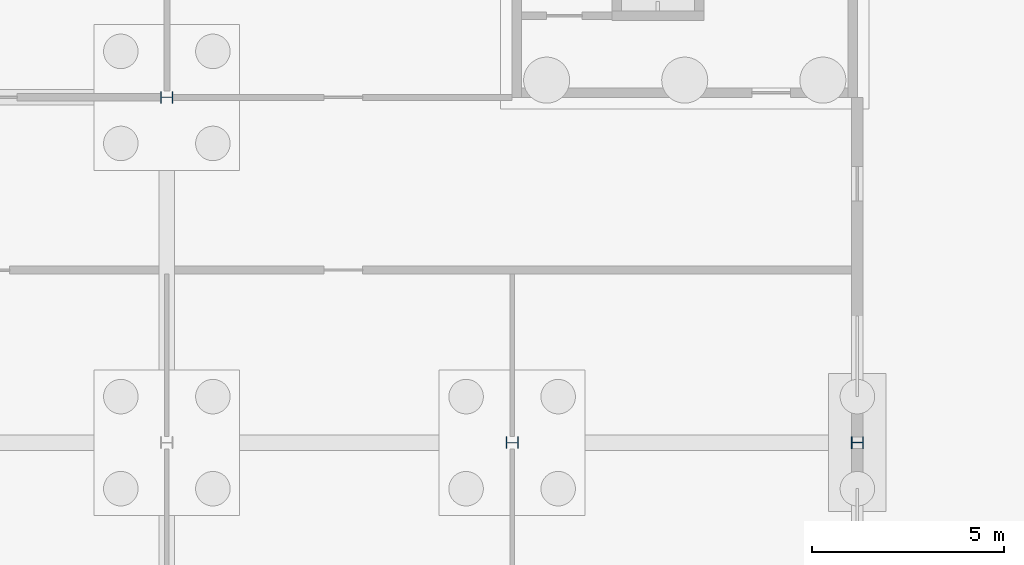
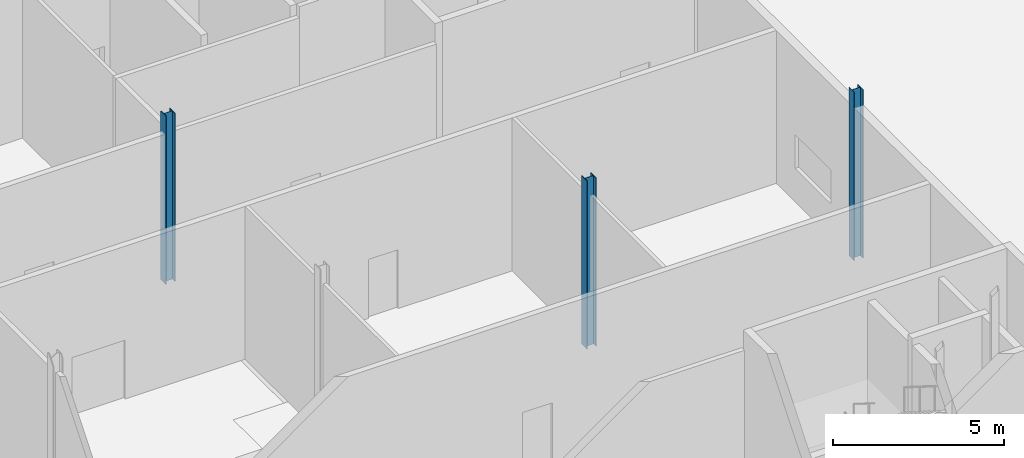
# One storey, part 29 of 97: 3 columns.
"""IFC4 building model written with IfcOpenShell, lengths in metres."""

from ifc_helpers import new_model, si_unit, direction, frame, origin, origin_2d, place, context, subcontext, project, spatial, i_section, extrude, material, material_profile, profile_set, type_object, element, save


model = new_model("IFC4")

# Units and contexts
model_context = context("Model", 3, precision=1e-05, world=origin(), true_north=direction((0.0, 1.0)))
body_context = subcontext(model_context, "Body", "Model", "MODEL_VIEW")
ifc_project = project(units=[si_unit("LENGTHUNIT", "METRE"), si_unit("AREAUNIT", "SQUARE_METRE"), si_unit("VOLUMEUNIT", "CUBIC_METRE"), si_unit("PLANEANGLEUNIT", "RADIAN"), si_unit("MASSUNIT", "GRAM", prefix="KILO")], contexts=[model_context])

# Site, building, storey
site_placement = place(None, origin())
site = spatial("IfcSite", under=ifc_project, at=site_placement, CompositionType="ELEMENT")
building_placement = place(site_placement, origin())
building = spatial("IfcBuilding", under=site, at=building_placement, Name="Corbel Yard City Hall", CompositionType="ELEMENT")
storey_placement = place(building_placement, origin())
storey = spatial("IfcBuildingStorey", under=building, at=storey_placement, Name="L00", CompositionType="ELEMENT", Elevation=0.0)

# Columns
ifc_material = material(Name="Steel Grade 300 (300 MPa yield)", Category="steel")
ifc_material_profile_1 = material_profile(ifc_material, i_section(OverallWidth=0.306884765625, OverallDepth=0.31494140625, WebThickness=0.011962890625, FlangeThickness=0.018798828125, at=origin_2d()), Name="310UC118")
ifc_profile_set_1 = profile_set([ifc_material_profile_1], Name="Steel Grade 300 (300 MPa yield)")
column_type_1 = type_object("IfcColumnType", Name="Column 310UC118", PredefinedType="COLUMN", material=ifc_profile_set_1)
column_placement = place(storey_placement, frame((180.0, 63.0, 0.0), z_axis=(0.0, 0.0, 1.0), x_axis=(0.0, 1.0, 0.0)))
element("IfcColumn", 1, at=column_placement, inside=storey, type_object=column_type_1, Name="Column 310UC118 H/21 L00", PredefinedType="COLUMN", context=body_context, shape_type="SweptSolid", body=[
    extrude(i_section(OverallWidth=0.306884765625, OverallDepth=0.31494140625, WebThickness=0.011962890625, FlangeThickness=0.018798828125, at=origin_2d()), origin(), (0.0, 0.0, 1.0), 6.0),
])
ifc_material_profile_2 = material_profile(ifc_material, i_section(OverallWidth=0.31103515625, OverallDepth=0.326904296875, WebThickness=0.015625, FlangeThickness=0.02490234375, at=origin_2d()), Name="310UC158")
ifc_profile_set_2 = profile_set([ifc_material_profile_2], Name="Steel Grade 300 (300 MPa yield)")
column_type_2 = type_object("IfcColumnType", Name="Column 310UC158", PredefinedType="COLUMN", material=ifc_profile_set_2)
for number, where, z_axis, x_axis, name in (
    (2, (162.0, 72.0, 0.0), (0.0, 0.0, 1.0), (0.0, 1.0, 0.0), "Column 310UC158 I/19 L00"),
    (3, (171.0, 63.0, 0.0), (0.0, 0.0, 1.0), (0.0, 1.0, 0.0), "Column 310UC158 H/20 L00"),
):
    element("IfcColumn", number, at=place(storey_placement, frame(where, z_axis=z_axis, x_axis=x_axis)), inside=storey, type_object=column_type_2, Name=name, PredefinedType="COLUMN", context=body_context, shape_type="SweptSolid", body=[
        extrude(i_section(OverallWidth=0.31103515625, OverallDepth=0.326904296875, WebThickness=0.015625, FlangeThickness=0.02490234375, at=origin_2d()), origin(), (0.0, 0.0, 1.0), 6.0),
    ])

save(model, "model.ifc")
